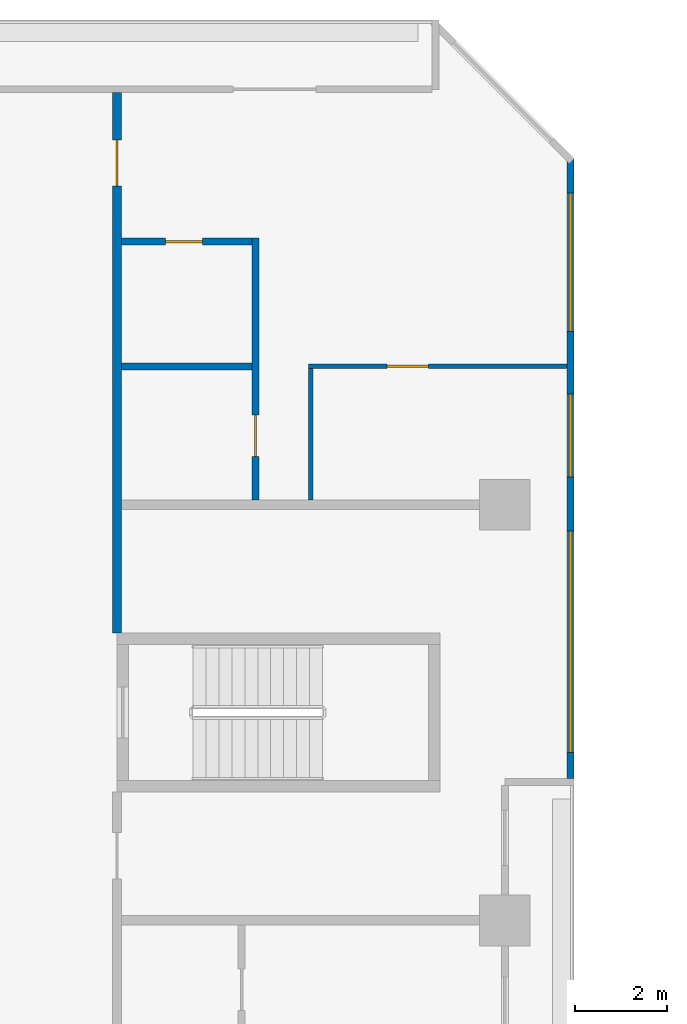
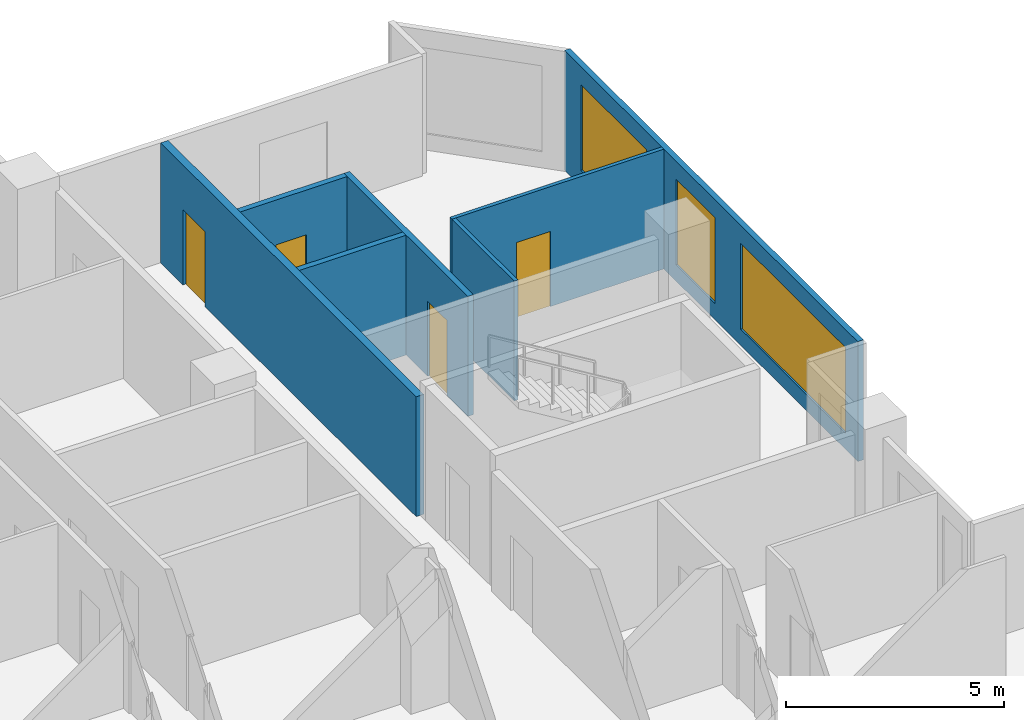
# One storey, part 11 of 15: 7 walls, 4 doors, 3 windows, 7 openings.
"""IFC4 building model written with IfcOpenShell, lengths in metres."""

from ifc_helpers import new_model, si_unit, direction, frame, frame_2d, origin, place, context, subcontext, project, spatial, rectangle, extrude, material, layer, layer_set, type_object, element, fill, save


model = new_model("IFC4")

# Units and contexts
model_context = context("Model", 3, precision=1e-05, world=origin(), true_north=direction((0.0, 1.0)))
body_context = subcontext(model_context, "Body", "Model", "MODEL_VIEW")
ifc_project = project(units=[si_unit("LENGTHUNIT", "METRE"), si_unit("AREAUNIT", "SQUARE_METRE"), si_unit("VOLUMEUNIT", "CUBIC_METRE"), si_unit("PLANEANGLEUNIT", "RADIAN"), si_unit("MASSUNIT", "GRAM", prefix="KILO")], contexts=[model_context])

# Site, building, storey
site_placement = place(None, origin())
site = spatial("IfcSite", under=ifc_project, at=site_placement, CompositionType="ELEMENT")
building_placement = place(site_placement, origin())
building = spatial("IfcBuilding", under=site, at=building_placement, Name="Chenar Terraces", CompositionType="ELEMENT")
storey_placement = place(building_placement, frame((0.0, 0.0, 60.14990234375)))
storey = spatial("IfcBuildingStorey", under=building, at=storey_placement, Name="L12", CompositionType="ELEMENT", Elevation=60.14990234375)

# Wall, opening, door
ifc_material_1 = material(Name="Gypsum board on steel studs with fire boards", Category="steel")
ifc_layer_1 = layer(ifc_material_1, 0.199951171875)
ifc_layer_set_1 = layer_set([ifc_layer_1], Name="Gypsum board on steel studs with fire boards")
wall_type_1 = type_object("IfcWallType", Name="Corridor wall 200", PredefinedType="PARTITIONING", material=ifc_layer_set_1)
wall_1_placement = place(storey_placement, frame((15.60009765625, 51.22509765625, 0.0), z_axis=(0.0, 0.0, 1.0), x_axis=(0.0, 1.0, 0.0)))
wall_1 = element("IfcWall", 1, at=wall_1_placement, inside=storey, type_object=wall_type_1, Name="Partition L12-038", PredefinedType="PARTITIONING", context=body_context, shape_type="SweptSolid", body=[
    extrude(rectangle(XDim=11.700927734375, YDim=0.199951171875, at=frame_2d((5.8505859375, 0.0))), origin(), (0.0, 0.0, 1.0), 3.35009765625),
])
opening_1_placement = place(wall_1_placement, frame((9.675048828125, 0.0, 0.0)))
opening_1 = element("IfcOpeningElement", 2, at=opening_1_placement, cuts=wall_1, Name="Opening DL12-31", PredefinedType="OPENING", context=body_context, shape_type="SweptSolid", body=[
    extrude(rectangle(XDim=1.0, YDim=2.10009765625, at=frame_2d((0.5, 1.050048828125))), frame((0.0, 0.10986328125, 0.0), z_axis=(0.0, -1.0, 0.0), x_axis=(1.0, 0.0, 0.0)), (0.0, 0.0, 1.0), 0.219970703125),
])
ifc_material_2 = material(Name="Steel-framed fire-resisting door leaf", Category="steel")
door_type_1 = type_object("IfcDoorType", Name="Fire door FD30S 1000 x 2100", OperationType="SINGLE_SWING_LEFT", PredefinedType="DOOR", material=ifc_material_2)
door_1_placement = place(opening_1_placement, frame((1.0, 0.0, 0.0), z_axis=(0.0, 0.0, 1.0), x_axis=(-1.0, 0.0, 0.0)))
door_1 = element("IfcDoor", 3, at=door_1_placement, inside=storey, type_object=door_type_1, Name="Door DL12-31", OperationType="SINGLE_SWING_LEFT", OverallHeight=2.10009765625, OverallWidth=1.0, PredefinedType="DOOR", context=body_context, shape_type="SweptSolid", body=[
    extrude(rectangle(XDim=1.0, YDim=2.10009765625, at=frame_2d((0.5, 1.050048828125))), frame((0.0, 0.02490234375, 0.0), z_axis=(0.0, -1.0, 0.0), x_axis=(1.0, 0.0, 0.0)), (0.0, 0.0, 1.0), 0.050048828125),
])
fill(opening_1, door_1)

# Wall, openings, windows
ifc_material_3 = material(Name="Aluminium framed glazing", Category="aluminium")
ifc_layer_2 = layer(ifc_material_3, 0.14990234375)
ifc_layer_set_2 = layer_set([ifc_layer_2], Name="Aluminium framed glazing")
wall_type_2 = type_object("IfcWallType", Name="Glazed flush facade wall 150", PredefinedType="SOLIDWALL", material=ifc_layer_set_2)
wall_2_placement = place(storey_placement, frame((25.425048828125, 48.074951171875, 0.0), z_axis=(0.0, 0.0, 1.0), x_axis=(0.0, 1.0, 0.0)))
wall_2 = element("IfcWall", 4, at=wall_2_placement, inside=storey, type_object=wall_type_2, Name="Glazed flush facade wall", PredefinedType="SOLIDWALL", context=body_context, shape_type="SweptSolid", body=[
    extrude(rectangle(XDim=13.425048828125, YDim=0.14990234375, at=frame_2d((6.71240234375, 0.0))), origin(), (0.0, 0.0, 1.0), 3.35009765625),
])
opening_2_placement = place(wall_2_placement, frame((0.5625, 0.0, 0.449951171875)))
opening_2 = element("IfcOpeningElement", 5, at=opening_2_placement, cuts=wall_2, Name="Opening W480x240", PredefinedType="OPENING", context=body_context, shape_type="SweptSolid", body=[
    extrude(rectangle(XDim=4.800048828125, YDim=2.39990234375, at=frame_2d((2.39990234375, 1.199951171875))), frame((0.0, 0.0849609375, 0.0), z_axis=(0.0, -1.0, 0.0), x_axis=(1.0, 0.0, 0.0)), (0.0, 0.0, 1.0), 0.169921875),
])
opening_3_placement = place(wall_2_placement, frame((6.52490234375, 0.0, 0.449951171875)))
opening_3 = element("IfcOpeningElement", 6, at=opening_3_placement, cuts=wall_2, Name="Opening W180x240", PredefinedType="OPENING", context=body_context, shape_type="SweptSolid", body=[
    extrude(rectangle(XDim=1.800048828125, YDim=2.39990234375, at=frame_2d((0.89990234375, 1.199951171875))), frame((0.0, 0.0849609375, 0.0), z_axis=(0.0, -1.0, 0.0), x_axis=(1.0, 0.0, 0.0)), (0.0, 0.0, 1.0), 0.169921875),
])
opening_4_placement = place(wall_2_placement, frame((9.675048828125, 0.0, 0.449951171875)))
opening_4 = element("IfcOpeningElement", 7, at=opening_4_placement, cuts=wall_2, Name="Opening W300x240", PredefinedType="OPENING", context=body_context, shape_type="SweptSolid", body=[
    extrude(rectangle(XDim=3.0, YDim=2.39990234375, at=frame_2d((1.5, 1.199951171875))), frame((0.0, 0.0849609375, 0.0), z_axis=(0.0, -1.0, 0.0), x_axis=(1.0, 0.0, 0.0)), (0.0, 0.0, 1.0), 0.169921875),
])
ifc_material_4 = material(Name="Low emissivity double glazing, aluminium frame", Category="aluminium")
window_type_1 = type_object("IfcWindowType", Name="Fixed light 1800 x 2400", PartitioningType="SINGLE_PANEL", PredefinedType="WINDOW", material=ifc_material_4)
window_1_placement = place(opening_3_placement, origin())
window_1 = element("IfcWindow", 8, at=window_1_placement, inside=storey, type_object=window_type_1, Name="Window", OverallHeight=2.39990234375, OverallWidth=1.800048828125, PartitioningType="SINGLE_PANEL", PredefinedType="WINDOW", context=body_context, shape_type="SweptSolid", body=[
    extrude(rectangle(XDim=1.800048828125, YDim=2.39990234375, at=frame_2d((0.89990234375, 1.199951171875))), frame((0.0, 0.030029296875, 0.0), z_axis=(0.0, -1.0, 0.0), x_axis=(1.0, 0.0, 0.0)), (0.0, 0.0, 1.0), 0.06005859375),
])
fill(opening_3, window_1)
ifc_material_5 = material(Name="Low emissivity double glazing, aluminium frame", Category="aluminium")
window_type_2 = type_object("IfcWindowType", Name="Fixed light 3000 x 2400", PartitioningType="SINGLE_PANEL", PredefinedType="WINDOW", material=ifc_material_5)
window_2_placement = place(opening_4_placement, origin())
window_2 = element("IfcWindow", 9, at=window_2_placement, inside=storey, type_object=window_type_2, Name="Window", OverallHeight=2.39990234375, OverallWidth=3.0, PartitioningType="SINGLE_PANEL", PredefinedType="WINDOW", context=body_context, shape_type="SweptSolid", body=[
    extrude(rectangle(XDim=3.0, YDim=2.39990234375, at=frame_2d((1.5, 1.199951171875))), frame((0.0, 0.030029296875, 0.0), z_axis=(0.0, -1.0, 0.0), x_axis=(1.0, 0.0, 0.0)), (0.0, 0.0, 1.0), 0.06005859375),
])
fill(opening_4, window_2)
ifc_material_6 = material(Name="Low emissivity double glazing, aluminium frame", Category="aluminium")
window_type_3 = type_object("IfcWindowType", Name="Fixed light 4800 x 2400", PartitioningType="SINGLE_PANEL", PredefinedType="WINDOW", material=ifc_material_6)
window_3_placement = place(opening_2_placement, origin())
window_3 = element("IfcWindow", 10, at=window_3_placement, inside=storey, type_object=window_type_3, Name="Window", OverallHeight=2.39990234375, OverallWidth=4.800048828125, PartitioningType="SINGLE_PANEL", PredefinedType="WINDOW", context=body_context, shape_type="SweptSolid", body=[
    extrude(rectangle(XDim=4.800048828125, YDim=2.39990234375, at=frame_2d((2.39990234375, 1.199951171875))), frame((0.0, 0.030029296875, 0.0), z_axis=(0.0, -1.0, 0.0), x_axis=(1.0, 0.0, 0.0)), (0.0, 0.0, 1.0), 0.06005859375),
])
fill(opening_2, window_3)

# Wall, opening, door
ifc_material_7 = material(Name="Gypsum board on steel studs", Category="steel")
ifc_layer_3 = layer(ifc_material_7, 0.10009765625)
ifc_layer_set_3 = layer_set([ifc_layer_3], Name="Gypsum board on steel studs")
wall_type_3 = type_object("IfcWallType", Name="Gypsum partition 100", PredefinedType="PARTITIONING", material=ifc_layer_set_3)
wall_3_placement = place(storey_placement, frame((19.75, 57.0, 0.0), z_axis=(0.0, 0.0, 1.0), x_axis=(1.0, 0.0, 0.0)))
wall_3 = element("IfcWall", 11, at=wall_3_placement, inside=storey, type_object=wall_type_3, Name="Partition L12-054", PredefinedType="PARTITIONING", context=body_context, shape_type="SweptSolid", body=[
    extrude(rectangle(XDim=5.60009765625, YDim=0.10009765625, at=frame_2d((2.800048828125, 0.0))), origin(), (0.0, 0.0, 1.0), 3.35009765625),
])
opening_5_placement = place(wall_3_placement, frame((1.699951171875, 0.0, 0.0)))
opening_5 = element("IfcOpeningElement", 12, at=opening_5_placement, cuts=wall_3, Name="Opening DL12-29", PredefinedType="OPENING", context=body_context, shape_type="SweptSolid", body=[
    extrude(rectangle(XDim=0.89990234375, YDim=2.10009765625, at=frame_2d((0.449951171875, 1.050048828125))), frame((0.0, 0.06005859375, 0.0), z_axis=(0.0, -1.0, 0.0), x_axis=(1.0, 0.0, 0.0)), (0.0, 0.0, 1.0), 0.1201171875),
])
ifc_material_8 = material(Name="Veneered timber door leaf", Category="wood")
door_type_2 = type_object("IfcDoorType", Name="Door 900 x 2100", OperationType="SINGLE_SWING_LEFT", PredefinedType="DOOR", material=ifc_material_8)
door_2_placement = place(opening_5_placement, frame((0.89990234375, 0.0, 0.0), z_axis=(0.0, 0.0, 1.0), x_axis=(-1.0, 0.0, 0.0)))
door_2 = element("IfcDoor", 13, at=door_2_placement, inside=storey, type_object=door_type_2, Name="Door DL12-29", OperationType="SINGLE_SWING_RIGHT", OverallHeight=2.10009765625, OverallWidth=0.89990234375, PredefinedType="DOOR", context=body_context, shape_type="SweptSolid", body=[
    extrude(rectangle(XDim=0.89990234375, YDim=2.10009765625, at=frame_2d((0.449951171875, 1.050048828125))), frame((0.0, 0.02490234375, 0.0), z_axis=(0.0, -1.0, 0.0), x_axis=(1.0, 0.0, 0.0)), (0.0, 0.0, 1.0), 0.050048828125),
])
fill(opening_5, door_2)

# Walls
wall_4_placement = place(storey_placement, frame((19.800048828125, 54.10009765625, 0.0), z_axis=(0.0, 0.0, 1.0), x_axis=(0.0, 1.0, 0.0)))
element("IfcWall", 14, at=wall_4_placement, inside=storey, type_object=wall_type_3, Name="Partition L12-055", PredefinedType="PARTITIONING", context=body_context, shape_type="SweptSolid", body=[
    extrude(rectangle(XDim=2.849853515625, YDim=0.10009765625, at=frame_2d((1.4248046875, 0.0))), origin(), (0.0, 0.0, 1.0), 3.35009765625),
])
ifc_material_9 = material(Name="Moisture-resistant gypsum board on steel studs", Category="steel")
ifc_layer_4 = layer(ifc_material_9, 0.14990234375)
ifc_layer_set_4 = layer_set([ifc_layer_4], Name="Moisture-resistant gypsum board on steel studs")
wall_type_4 = type_object("IfcWallType", Name="Wet-room partition 150", PredefinedType="PARTITIONING", material=ifc_layer_set_4)
wall_5_placement = place(storey_placement, frame((15.699951171875, 57.0, 0.0), z_axis=(0.0, 0.0, 1.0), x_axis=(1.0, 0.0, 0.0)))
element("IfcWall", 15, at=wall_5_placement, inside=storey, type_object=wall_type_4, Name="Partition L12-046", PredefinedType="PARTITIONING", context=body_context, shape_type="SweptSolid", body=[
    extrude(rectangle(XDim=2.824951171875, YDim=0.14990234375, at=frame_2d((1.41259765625, 0.0))), origin(), (0.0, 0.0, 1.0), 3.35009765625),
])

# Wall, opening, door
wall_6_placement = place(storey_placement, frame((15.699951171875, 59.699951171875, 0.0), z_axis=(0.0, 0.0, 1.0), x_axis=(1.0, 0.0, 0.0)))
wall_6 = element("IfcWall", 16, at=wall_6_placement, inside=storey, type_object=wall_type_4, Name="Partition L12-047", PredefinedType="PARTITIONING", context=body_context, shape_type="SweptSolid", body=[
    extrude(rectangle(XDim=2.824951171875, YDim=0.14990234375, at=frame_2d((1.41259765625, 0.0))), origin(), (0.0, 0.0, 1.0), 3.35009765625),
])
opening_6_placement = place(wall_6_placement, frame((0.949951171875, 0.0, 0.0)))
opening_6 = element("IfcOpeningElement", 17, at=opening_6_placement, cuts=wall_6, Name="Opening DL12-28", PredefinedType="OPENING", context=body_context, shape_type="SweptSolid", body=[
    extrude(rectangle(XDim=0.800048828125, YDim=2.10009765625, at=frame_2d((0.39990234375, 1.050048828125))), frame((0.0, 0.0849609375, 0.0), z_axis=(0.0, -1.0, 0.0), x_axis=(1.0, 0.0, 0.0)), (0.0, 0.0, 1.0), 0.169921875),
])
ifc_material_10 = material(Name="Veneered timber door leaf", Category="wood")
door_type_3 = type_object("IfcDoorType", Name="Door 800 x 2100", OperationType="SINGLE_SWING_LEFT", PredefinedType="DOOR", material=ifc_material_10)
door_3_placement = place(opening_6_placement, frame((0.800048828125, 0.0, 0.0), z_axis=(0.0, 0.0, 1.0), x_axis=(-1.0, 0.0, 0.0)))
door_3 = element("IfcDoor", 18, at=door_3_placement, inside=storey, type_object=door_type_3, Name="Door DL12-28", OperationType="SINGLE_SWING_RIGHT", OverallHeight=2.10009765625, OverallWidth=0.800048828125, PredefinedType="DOOR", context=body_context, shape_type="SweptSolid", body=[
    extrude(rectangle(XDim=0.800048828125, YDim=2.10009765625, at=frame_2d((0.39990234375, 1.050048828125))), frame((0.0, 0.02490234375, 0.0), z_axis=(0.0, -1.0, 0.0), x_axis=(1.0, 0.0, 0.0)), (0.0, 0.0, 1.0), 0.050048828125),
])
fill(opening_6, door_3)

wall_7_placement = place(storey_placement, frame((18.60009765625, 54.10009765625, 0.0), z_axis=(0.0, 0.0, 1.0), x_axis=(0.0, 1.0, 0.0)))
wall_7 = element("IfcWall", 19, at=wall_7_placement, inside=storey, type_object=wall_type_4, Name="Partition L12-050", PredefinedType="PARTITIONING", context=body_context, shape_type="SweptSolid", body=[
    extrude(rectangle(XDim=5.6748046875, YDim=0.14990234375, at=frame_2d((2.83740234375, 0.0))), origin(), (0.0, 0.0, 1.0), 3.35009765625),
])
opening_7_placement = place(wall_7_placement, frame((0.949951171875, 0.0, 0.0)))
opening_7 = element("IfcOpeningElement", 20, at=opening_7_placement, cuts=wall_7, Name="Opening DL12-30", PredefinedType="OPENING", context=body_context, shape_type="SweptSolid", body=[
    extrude(rectangle(XDim=0.89990234375, YDim=2.10009765625, at=frame_2d((0.449951171875, 1.050048828125))), frame((0.0, 0.0849609375, 0.0), z_axis=(0.0, -1.0, 0.0), x_axis=(1.0, 0.0, 0.0)), (0.0, 0.0, 1.0), 0.169921875),
])
door_4_placement = place(opening_7_placement, origin())
door_4 = element("IfcDoor", 21, at=door_4_placement, inside=storey, type_object=door_type_2, Name="Door DL12-30", OperationType="SINGLE_SWING_RIGHT", OverallHeight=2.10009765625, OverallWidth=0.89990234375, PredefinedType="DOOR", context=body_context, shape_type="SweptSolid", body=[
    extrude(rectangle(XDim=0.89990234375, YDim=2.10009765625, at=frame_2d((0.449951171875, 1.050048828125))), frame((0.0, 0.02490234375, 0.0), z_axis=(0.0, -1.0, 0.0), x_axis=(1.0, 0.0, 0.0)), (0.0, 0.0, 1.0), 0.050048828125),
])
fill(opening_7, door_4)

save(model, "model.ifc")
